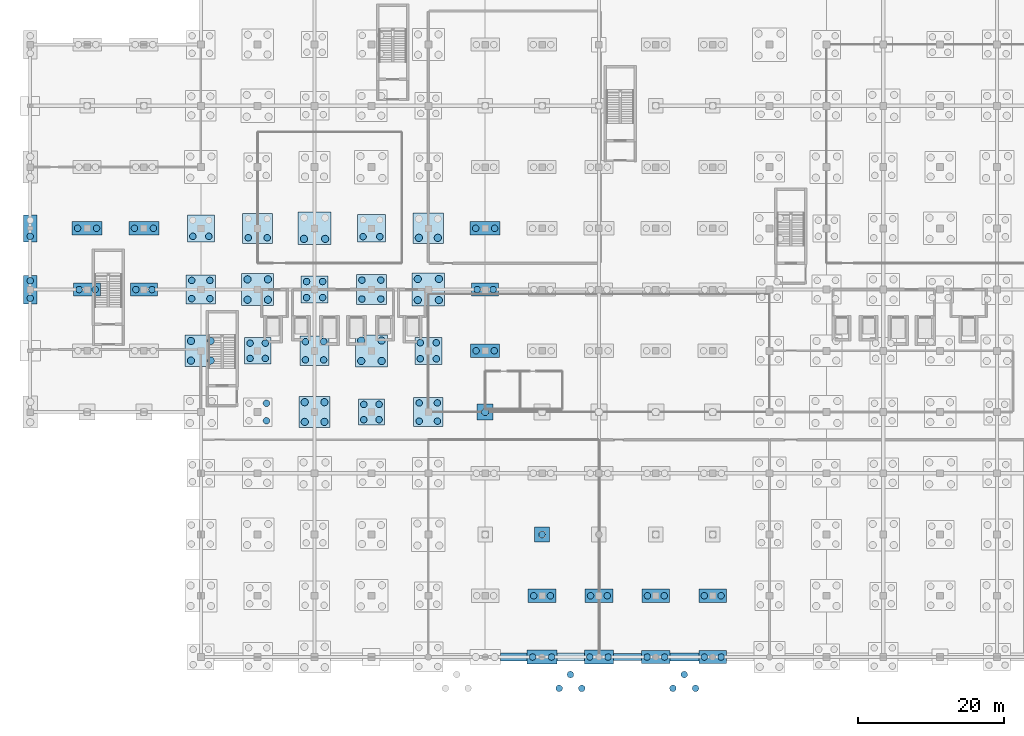
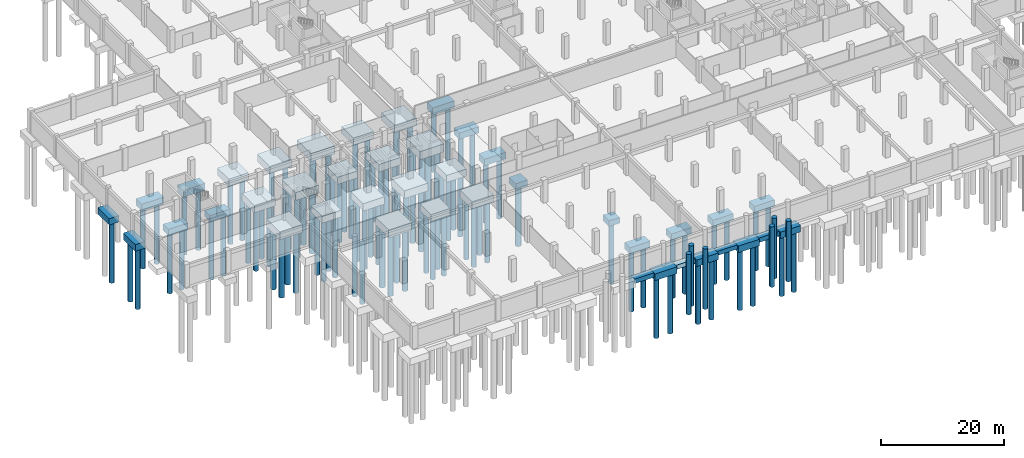
# One storey, part 2 of 30: 105 piles, 41 footings.
"""IFC4 building model written with IfcOpenShell, lengths in metres."""

from ifc_helpers import new_model, si_unit, direction, frame, origin, origin_2d, place, context, subcontext, project, spatial, rectangle, circle, extrude, material, layer, layer_set, material_profile, profile_set, type_object, element, save


model = new_model("IFC4")

# Units and contexts
model_context = context("Model", 3, precision=1e-05, world=origin(), true_north=direction((0.0, 1.0)))
body_context = subcontext(model_context, "Body", "Model", "MODEL_VIEW")
ifc_project = project(units=[si_unit("LENGTHUNIT", "METRE"), si_unit("AREAUNIT", "SQUARE_METRE"), si_unit("VOLUMEUNIT", "CUBIC_METRE"), si_unit("PLANEANGLEUNIT", "RADIAN"), si_unit("MASSUNIT", "GRAM", prefix="KILO"), si_unit("THERMODYNAMICTEMPERATUREUNIT", "KELVIN"), si_unit("POWERUNIT", "WATT")], contexts=[model_context])

# Site, building, storey
site_placement = place(None, origin())
site = spatial("IfcSite", under=ifc_project, at=site_placement, CompositionType="ELEMENT")
building_placement = place(site_placement, origin())
building = spatial("IfcBuilding", under=site, at=building_placement, Name="Srebrne Nadtorze General Hospital", CompositionType="ELEMENT")
storey_placement = place(building_placement, frame((0.0, 0.0, -4.5)))
storey = spatial("IfcBuildingStorey", under=building, at=storey_placement, Name="B1", CompositionType="ELEMENT", Elevation=-4.5)

# Piles
ifc_material_1 = material(Name="Concrete C35/45", Category="concrete")
ifc_material_profile_1 = material_profile(ifc_material_1, circle(Radius=0.5, at=origin_2d()), Name="PILE-D1000")
ifc_profile_set_1 = profile_set([ifc_material_profile_1], Name="Concrete C35/45")
pile_type_1 = type_object("IfcPileType", Name="Bored concrete pile D1000", PredefinedType="BORED", material=ifc_profile_set_1)
for number, where, z_axis, x_axis, name in (
    (1, (22.050048828125, 40.64990234375, -2.14990234375), (0.0, 0.0, -1.0), (1.0, 0.0, 0.0), "Bored pile PL-B1-0055"),
    (2, (24.75, 40.64990234375, -2.14990234375), (0.0, 0.0, -1.0), (1.0, 0.0, 0.0), "Bored pile PL-B1-0056"),
    (3, (24.75, 43.35009765625, -2.14990234375), (0.0, 0.0, -1.0), (1.0, 0.0, 0.0), "Bored pile PL-B1-0057"),
    (4, (22.050048828125, 43.35009765625, -2.14990234375), (0.0, 0.0, -1.0), (1.0, 0.0, 0.0), "Bored pile PL-B1-0058"),
    (5, (29.800048828125, 49.0, -2.14990234375), (0.0, 0.0, -1.0), (1.0, 0.0, 0.0), "Bored pile PL-B1-0111"),
    (6, (32.60009765625, 49.0, -2.14990234375), (0.0, 0.0, -1.0), (1.0, 0.0, 0.0), "Bored pile PL-B1-0112"),
    (7, (32.60009765625, 51.800048828125, -2.14990234375), (0.0, 0.0, -1.0), (1.0, 0.0, 0.0), "Bored pile PL-B1-0113"),
    (8, (29.800048828125, 51.800048828125, -2.14990234375), (0.0, 0.0, -1.0), (1.0, 0.0, 0.0), "Bored pile PL-B1-0114"),
    (9, (37.64990234375, 32.25, -2.14990234375), (0.0, 0.0, -1.0), (1.0, 0.0, 0.0), "Bored pile PL-B1-0157"),
    (10, (40.35009765625, 32.25, -2.14990234375), (0.0, 0.0, -1.0), (1.0, 0.0, 0.0), "Bored pile PL-B1-0158"),
    (11, (40.35009765625, 34.949951171875, -2.14990234375), (0.0, 0.0, -1.0), (1.0, 0.0, 0.0), "Bored pile PL-B1-0159"),
    (12, (37.64990234375, 34.949951171875, -2.14990234375), (0.0, 0.0, -1.0), (1.0, 0.0, 0.0), "Bored pile PL-B1-0160"),
    (13, (37.550048828125, 57.35009765625, -2.199951171875), (0.0, 0.0, -1.0), (1.0, 0.0, 0.0), "Bored pile PL-B1-0169"),
    (14, (40.449951171875, 57.35009765625, -2.199951171875), (0.0, 0.0, -1.0), (1.0, 0.0, 0.0), "Bored pile PL-B1-0170"),
    (15, (45.39990234375, 40.60009765625, -2.14990234375), (0.0, 0.0, -1.0), (1.0, 0.0, 0.0), "Bored pile PL-B1-0211"),
    (16, (48.199951171875, 40.60009765625, -2.14990234375), (0.0, 0.0, -1.0), (1.0, 0.0, 0.0), "Bored pile PL-B1-0212"),
    (17, (48.199951171875, 43.39990234375, -2.14990234375), (0.0, 0.0, -1.0), (1.0, 0.0, 0.0), "Bored pile PL-B1-0213"),
    (18, (45.39990234375, 43.39990234375, -2.14990234375), (0.0, 0.0, -1.0), (1.0, 0.0, 0.0), "Bored pile PL-B1-0214"),
    (19, (53.14990234375, 48.949951171875, -2.199951171875), (0.0, 0.0, -1.0), (1.0, 0.0, 0.0), "Bored pile PL-B1-0269"),
    (20, (56.050048828125, 48.949951171875, -2.199951171875), (0.0, 0.0, -1.0), (1.0, 0.0, 0.0), "Bored pile PL-B1-0270"),
    (21, (56.050048828125, 51.85009765625, -2.199951171875), (0.0, 0.0, -1.0), (1.0, 0.0, 0.0), "Bored pile PL-B1-0271"),
    (22, (53.14990234375, 51.85009765625, -2.199951171875), (0.0, 0.0, -1.0), (1.0, 0.0, 0.0), "Bored pile PL-B1-0272"),
    (23, (53.300048828125, 57.5, -2.10009765625), (0.0, 0.0, -1.0), (1.0, 0.0, 0.0), "Bored pile PL-B1-0273"),
    (24, (55.89990234375, 57.5, -2.10009765625), (0.0, 0.0, -1.0), (1.0, 0.0, 0.0), "Bored pile PL-B1-0274"),
    (25, (62.39990234375, 33.60009765625, -1.800048828125), (0.0, 0.0, -1.0), (1.0, 0.0, 0.0), "Bored pile PL-B1-0306"),
):
    element("IfcPile", number, at=place(storey_placement, frame(where, z_axis=z_axis, x_axis=x_axis)), inside=storey, type_object=pile_type_1, Name=name, PredefinedType="BORED", context=body_context, shape_type="SweptSolid", body=[
        extrude(circle(Radius=0.5, at=origin_2d()), origin(), (0.0, 0.0, 1.0), 12.0),
    ])
ifc_material_2 = material(Name="Concrete C35/45", Category="concrete")
ifc_material_profile_2 = material_profile(ifc_material_2, circle(Radius=0.449951171875, at=origin_2d()), Name="PILE-D900")
ifc_profile_set_2 = profile_set([ifc_material_profile_2], Name="Concrete C35/45")
pile_type_2 = type_object("IfcPileType", Name="Bored concrete pile D900", PredefinedType="BORED", material=ifc_profile_set_2)
for number, where, z_axis, x_axis, name in (
    (26, (0.0, 49.199951171875, -1.89990234375), (0.0, 0.0, -1.0), (1.0, 0.0, 0.0), "Bored pile PL-B1-0003"),
    (27, (0.0, 51.60009765625, -1.89990234375), (0.0, 0.0, -1.0), (1.0, 0.0, 0.0), "Bored pile PL-B1-0004"),
    (28, (0.0, 57.699951171875, -1.85009765625), (0.0, 0.0, -1.0), (1.0, 0.0, 0.0), "Bored pile PL-B1-0005"),
    (29, (6.699951171875, 50.39990234375, -1.85009765625), (0.0, 0.0, -1.0), (1.0, 0.0, 0.0), "Bored pile PL-B1-0014"),
    (30, (8.89990234375, 50.39990234375, -1.85009765625), (0.0, 0.0, -1.0), (1.0, 0.0, 0.0), "Bored pile PL-B1-0015"),
    (31, (6.5, 58.800048828125, -1.949951171875), (0.0, 0.0, -1.0), (1.0, 0.0, 0.0), "Bored pile PL-B1-0016"),
    (32, (9.10009765625, 58.800048828125, -1.949951171875), (0.0, 0.0, -1.0), (1.0, 0.0, 0.0), "Bored pile PL-B1-0017"),
    (33, (14.5, 50.39990234375, -1.85009765625), (0.0, 0.0, -1.0), (1.0, 0.0, 0.0), "Bored pile PL-B1-0026"),
    (34, (16.699951171875, 50.39990234375, -1.85009765625), (0.0, 0.0, -1.0), (1.0, 0.0, 0.0), "Bored pile PL-B1-0027"),
    (35, (14.300048828125, 58.800048828125, -1.949951171875), (0.0, 0.0, -1.0), (1.0, 0.0, 0.0), "Bored pile PL-B1-0028"),
    (36, (16.89990234375, 58.800048828125, -1.949951171875), (0.0, 0.0, -1.0), (1.0, 0.0, 0.0), "Bored pile PL-B1-0029"),
    (37, (22.14990234375, 49.14990234375, -2.050048828125), (0.0, 0.0, -1.0), (1.0, 0.0, 0.0), "Bored pile PL-B1-0059"),
    (38, (24.64990234375, 49.14990234375, -2.050048828125), (0.0, 0.0, -1.0), (1.0, 0.0, 0.0), "Bored pile PL-B1-0060"),
    (39, (24.64990234375, 51.64990234375, -2.050048828125), (0.0, 0.0, -1.0), (1.0, 0.0, 0.0), "Bored pile PL-B1-0061"),
    (40, (22.14990234375, 51.64990234375, -2.050048828125), (0.0, 0.0, -1.0), (1.0, 0.0, 0.0), "Bored pile PL-B1-0062"),
    (41, (22.300048828125, 57.699951171875, -2.0), (0.0, 0.0, -1.0), (1.0, 0.0, 0.0), "Bored pile PL-B1-0063"),
    (42, (24.5, 57.699951171875, -2.0), (0.0, 0.0, -1.0), (1.0, 0.0, 0.0), "Bored pile PL-B1-0064"),
    (43, (32.39990234375, 32.39990234375, -2.050048828125), (0.0, 0.0, -1.0), (1.0, 0.0, 0.0), "Bored pile PL-B1-0104"),
    (44, (32.39990234375, 34.800048828125, -2.050048828125), (0.0, 0.0, -1.0), (1.0, 0.0, 0.0), "Bored pile PL-B1-0105"),
    (45, (30.14990234375, 40.949951171875, -1.949951171875), (0.0, 0.0, -1.0), (1.0, 0.0, 0.0), "Bored pile PL-B1-0107"),
    (46, (32.25, 40.949951171875, -1.949951171875), (0.0, 0.0, -1.0), (1.0, 0.0, 0.0), "Bored pile PL-B1-0108"),
    (47, (32.25, 43.050048828125, -1.949951171875), (0.0, 0.0, -1.0), (1.0, 0.0, 0.0), "Bored pile PL-B1-0109"),
    (48, (30.14990234375, 43.050048828125, -1.949951171875), (0.0, 0.0, -1.0), (1.0, 0.0, 0.0), "Bored pile PL-B1-0110"),
    (49, (29.89990234375, 57.5, -2.10009765625), (0.0, 0.0, -1.0), (1.0, 0.0, 0.0), "Bored pile PL-B1-0115"),
    (50, (32.5, 57.5, -2.10009765625), (0.0, 0.0, -1.0), (1.0, 0.0, 0.0), "Bored pile PL-B1-0116"),
    (51, (37.75, 40.75, -2.050048828125), (0.0, 0.0, -1.0), (1.0, 0.0, 0.0), "Bored pile PL-B1-0161"),
    (52, (40.25, 40.75, -2.050048828125), (0.0, 0.0, -1.0), (1.0, 0.0, 0.0), "Bored pile PL-B1-0162"),
    (53, (40.25, 43.25, -2.050048828125), (0.0, 0.0, -1.0), (1.0, 0.0, 0.0), "Bored pile PL-B1-0163"),
    (54, (37.75, 43.25, -2.050048828125), (0.0, 0.0, -1.0), (1.0, 0.0, 0.0), "Bored pile PL-B1-0164"),
    (55, (37.89990234375, 49.300048828125, -2.0), (0.0, 0.0, -1.0), (1.0, 0.0, 0.0), "Bored pile PL-B1-0165"),
    (56, (40.10009765625, 49.300048828125, -2.0), (0.0, 0.0, -1.0), (1.0, 0.0, 0.0), "Bored pile PL-B1-0166"),
    (57, (40.10009765625, 51.5, -2.0), (0.0, 0.0, -1.0), (1.0, 0.0, 0.0), "Bored pile PL-B1-0167"),
    (58, (37.89990234375, 51.5, -2.0), (0.0, 0.0, -1.0), (1.0, 0.0, 0.0), "Bored pile PL-B1-0168"),
    (59, (45.75, 32.550048828125, -1.949951171875), (0.0, 0.0, -1.0), (1.0, 0.0, 0.0), "Bored pile PL-B1-0207"),
    (60, (47.85009765625, 32.550048828125, -1.949951171875), (0.0, 0.0, -1.0), (1.0, 0.0, 0.0), "Bored pile PL-B1-0208"),
    (61, (47.85009765625, 34.64990234375, -1.949951171875), (0.0, 0.0, -1.0), (1.0, 0.0, 0.0), "Bored pile PL-B1-0209"),
    (62, (45.75, 34.64990234375, -1.949951171875), (0.0, 0.0, -1.0), (1.0, 0.0, 0.0), "Bored pile PL-B1-0210"),
    (63, (45.5, 49.10009765625, -2.10009765625), (0.0, 0.0, -1.0), (1.0, 0.0, 0.0), "Bored pile PL-B1-0215"),
    (64, (48.10009765625, 49.10009765625, -2.10009765625), (0.0, 0.0, -1.0), (1.0, 0.0, 0.0), "Bored pile PL-B1-0216"),
    (65, (48.10009765625, 51.699951171875, -2.10009765625), (0.0, 0.0, -1.0), (1.0, 0.0, 0.0), "Bored pile PL-B1-0217"),
    (66, (45.5, 51.699951171875, -2.10009765625), (0.0, 0.0, -1.0), (1.0, 0.0, 0.0), "Bored pile PL-B1-0218"),
    (67, (45.64990234375, 57.64990234375, -2.0), (0.0, 0.0, -1.0), (1.0, 0.0, 0.0), "Bored pile PL-B1-0219"),
    (68, (47.949951171875, 57.64990234375, -2.0), (0.0, 0.0, -1.0), (1.0, 0.0, 0.0), "Bored pile PL-B1-0220"),
    (69, (53.35009765625, 32.35009765625, -2.050048828125), (0.0, 0.0, -1.0), (1.0, 0.0, 0.0), "Bored pile PL-B1-0261"),
    (70, (55.85009765625, 32.35009765625, -2.050048828125), (0.0, 0.0, -1.0), (1.0, 0.0, 0.0), "Bored pile PL-B1-0262"),
    (71, (55.85009765625, 34.85009765625, -2.050048828125), (0.0, 0.0, -1.0), (1.0, 0.0, 0.0), "Bored pile PL-B1-0263"),
    (72, (53.35009765625, 34.85009765625, -2.050048828125), (0.0, 0.0, -1.0), (1.0, 0.0, 0.0), "Bored pile PL-B1-0264"),
    (73, (53.5, 40.89990234375, -2.0), (0.0, 0.0, -1.0), (1.0, 0.0, 0.0), "Bored pile PL-B1-0265"),
    (74, (55.699951171875, 40.89990234375, -2.0), (0.0, 0.0, -1.0), (1.0, 0.0, 0.0), "Bored pile PL-B1-0266"),
    (75, (55.699951171875, 43.10009765625, -2.0), (0.0, 0.0, -1.0), (1.0, 0.0, 0.0), "Bored pile PL-B1-0267"),
    (76, (53.5, 43.10009765625, -2.0), (0.0, 0.0, -1.0), (1.0, 0.0, 0.0), "Bored pile PL-B1-0268"),
    (77, (61.14990234375, 42.0, -1.89990234375), (0.0, 0.0, -1.0), (1.0, 0.0, 0.0), "Bored pile PL-B1-0307"),
    (78, (63.64990234375, 42.0, -1.89990234375), (0.0, 0.0, -1.0), (1.0, 0.0, 0.0), "Bored pile PL-B1-0308"),
    (79, (61.300048828125, 50.39990234375, -1.85009765625), (0.0, 0.0, -1.0), (1.0, 0.0, 0.0), "Bored pile PL-B1-0309"),
    (80, (63.5, 50.39990234375, -1.85009765625), (0.0, 0.0, -1.0), (1.0, 0.0, 0.0), "Bored pile PL-B1-0310"),
    (81, (61.10009765625, 58.800048828125, -1.949951171875), (0.0, 0.0, -1.0), (1.0, 0.0, 0.0), "Bored pile PL-B1-0311"),
    (82, (63.699951171875, 58.800048828125, -1.949951171875), (0.0, 0.0, -1.0), (1.0, 0.0, 0.0), "Bored pile PL-B1-0312"),
    (83, (68.89990234375, 0.0, -1.949951171875), (0.0, 0.0, -1.0), (1.0, 0.0, 0.0), "Bored pile PL-B1-0324"),
    (84, (71.5, 0.0, -1.949951171875), (0.0, 0.0, -1.0), (1.0, 0.0, 0.0), "Bored pile PL-B1-0325"),
    (85, (69.050048828125, 8.39990234375, -1.85009765625), (0.0, 0.0, -1.0), (1.0, 0.0, 0.0), "Bored pile PL-B1-0326"),
    (86, (71.35009765625, 8.39990234375, -1.85009765625), (0.0, 0.0, -1.0), (1.0, 0.0, 0.0), "Bored pile PL-B1-0327"),
    (87, (70.199951171875, 16.800048828125, -1.75), (0.0, 0.0, -1.0), (1.0, 0.0, 0.0), "Bored pile PL-B1-0328"),
    (88, (76.75, 0.0, -1.89990234375), (0.0, 0.0, -1.0), (1.0, 0.0, 0.0), "Bored pile PL-B1-0351"),
    (89, (79.25, 0.0, -1.89990234375), (0.0, 0.0, -1.0), (1.0, 0.0, 0.0), "Bored pile PL-B1-0352"),
    (90, (76.85009765625, 8.39990234375, -1.85009765625), (0.0, 0.0, -1.0), (1.0, 0.0, 0.0), "Bored pile PL-B1-0353"),
    (91, (79.14990234375, 8.39990234375, -1.85009765625), (0.0, 0.0, -1.0), (1.0, 0.0, 0.0), "Bored pile PL-B1-0354"),
    (92, (84.60009765625, 0.0, -1.89990234375), (0.0, 0.0, -1.0), (1.0, 0.0, 0.0), "Bored pile PL-B1-0370"),
    (93, (87.0, 0.0, -1.89990234375), (0.0, 0.0, -1.0), (1.0, 0.0, 0.0), "Bored pile PL-B1-0371"),
    (94, (84.64990234375, 8.39990234375, -1.85009765625), (0.0, 0.0, -1.0), (1.0, 0.0, 0.0), "Bored pile PL-B1-0372"),
    (95, (86.949951171875, 8.39990234375, -1.85009765625), (0.0, 0.0, -1.0), (1.0, 0.0, 0.0), "Bored pile PL-B1-0373"),
    (96, (92.449951171875, 0.0, -1.85009765625), (0.0, 0.0, -1.0), (1.0, 0.0, 0.0), "Bored pile PL-B1-0391"),
    (97, (94.75, 0.0, -1.85009765625), (0.0, 0.0, -1.0), (1.0, 0.0, 0.0), "Bored pile PL-B1-0392"),
    (98, (92.449951171875, 8.39990234375, -1.85009765625), (0.0, 0.0, -1.0), (1.0, 0.0, 0.0), "Bored pile PL-B1-0393"),
    (99, (94.75, 8.39990234375, -1.85009765625), (0.0, 0.0, -1.0), (1.0, 0.0, 0.0), "Bored pile PL-B1-0394"),
    (100, (72.550048828125, -4.300048828125, 4.080078125), (0.0, 0.0, -1.0), (1.0, 0.0, 0.0), "Accessible ramp support pile 2 1"),
    (101, (75.64990234375, -4.300048828125, 4.080078125), (0.0, 0.0, -1.0), (1.0, 0.0, 0.0), "Accessible ramp support pile 2 2"),
    (102, (74.10009765625, -2.39990234375, 4.080078125), (0.0, 0.0, -1.0), (1.0, 0.0, 0.0), "Accessible ramp support pile 2 3"),
    (103, (88.14990234375, -4.300048828125, 4.080078125), (0.0, 0.0, -1.0), (1.0, 0.0, 0.0), "Accessible ramp support pile 3 1"),
    (104, (91.25, -4.300048828125, 4.080078125), (0.0, 0.0, -1.0), (1.0, 0.0, 0.0), "Accessible ramp support pile 3 2"),
    (105, (89.699951171875, -2.39990234375, 4.080078125), (0.0, 0.0, -1.0), (1.0, 0.0, 0.0), "Accessible ramp support pile 3 3"),
):
    element("IfcPile", number, at=place(storey_placement, frame(where, z_axis=z_axis, x_axis=x_axis)), inside=storey, type_object=pile_type_2, Name=name, PredefinedType="BORED", context=body_context, shape_type="SweptSolid", body=[
        extrude(circle(Radius=0.449951171875, at=origin_2d()), origin(), (0.0, 0.0, 1.0), 12.0),
    ])

# Footings
ifc_material_3 = material(Name="Concrete C35/45", Category="concrete")
ifc_layer_1 = layer(ifc_material_3, 1.25)
ifc_layer_set_1 = layer_set([ifc_layer_1], Name="Concrete C35/45")
footing_type_1 = type_object("IfcFootingType", Name="Bored pile cap 1800x3700x1250", PredefinedType="PILE_CAP", material=ifc_layer_set_1)
footing_1_placement = place(storey_placement, frame((0.0, 58.800048828125, -1.85009765625), z_axis=(0.0, 0.0, 1.0), x_axis=(1.0, 0.0, 0.0)))
element("IfcFooting", 106, at=footing_1_placement, inside=storey, type_object=footing_type_1, Name="Pile cap FT-B1-1-H", PredefinedType="PILE_CAP", context=body_context, shape_type="SweptSolid", body=[
    extrude(rectangle(XDim=1.800048828125, YDim=3.699951171875, at=origin_2d()), origin(), (0.0, 0.0, 1.0), 1.25),
])
ifc_material_4 = material(Name="Concrete C35/45", Category="concrete")
ifc_layer_2 = layer(ifc_material_4, 1.300048828125)
ifc_layer_set_2 = layer_set([ifc_layer_2], Name="Concrete C35/45")
footing_type_2 = type_object("IfcFootingType", Name="Bored pile cap 1800x3900x1300", PredefinedType="PILE_CAP", material=ifc_layer_set_2)
footing_2_placement = place(storey_placement, frame((0.0, 50.39990234375, -1.89990234375), z_axis=(0.0, 0.0, 1.0), x_axis=(1.0, 0.0, 0.0)))
element("IfcFooting", 107, at=footing_2_placement, inside=storey, type_object=footing_type_2, Name="Pile cap FT-B1-1-G", PredefinedType="PILE_CAP", context=body_context, shape_type="SweptSolid", body=[
    extrude(rectangle(XDim=1.800048828125, YDim=3.89990234375, at=origin_2d()), origin(), (0.0, 0.0, 1.0), 1.300048828125),
])
ifc_material_5 = material(Name="Concrete C35/45", Category="concrete")
ifc_layer_3 = layer(ifc_material_5, 1.14990234375)
ifc_layer_set_3 = layer_set([ifc_layer_3], Name="Concrete C35/45")
footing_type_3 = type_object("IfcFootingType", Name="Bored pile cap 2000x2000x1150", PredefinedType="PILE_CAP", material=ifc_layer_set_3)
footing_3_placement = place(storey_placement, frame((70.199951171875, 16.800048828125, -1.75), z_axis=(0.0, 0.0, 1.0), x_axis=(1.0, 0.0, 0.0)))
element("IfcFooting", 108, at=footing_3_placement, inside=storey, type_object=footing_type_3, Name="Pile cap FT-B1-10-C", PredefinedType="PILE_CAP", context=body_context, shape_type="SweptSolid", body=[
    extrude(rectangle(XDim=2.0, YDim=2.0, at=origin_2d()), origin(), (0.0, 0.0, 1.0), 1.14990234375),
])
ifc_material_6 = material(Name="Concrete C35/45", Category="concrete")
ifc_layer_4 = layer(ifc_material_6, 1.199951171875)
ifc_layer_set_4 = layer_set([ifc_layer_4], Name="Concrete C35/45")
footing_type_4 = type_object("IfcFootingType", Name="Bored pile cap 2200x2200x1200", PredefinedType="PILE_CAP", material=ifc_layer_set_4)
footing_4_placement = place(storey_placement, frame((62.39990234375, 33.60009765625, -1.7998046875), z_axis=(0.0, 0.0, 1.0), x_axis=(1.0, 0.0, 0.0)))
element("IfcFooting", 109, at=footing_4_placement, inside=storey, type_object=footing_type_4, Name="Pile cap FT-B1-9-E", PredefinedType="PILE_CAP", context=body_context, shape_type="SweptSolid", body=[
    extrude(rectangle(XDim=2.199951171875, YDim=2.199951171875, at=origin_2d()), origin(), (0.0, 0.0, 1.0), 1.199951171875),
])
ifc_material_7 = material(Name="Concrete C35/45", Category="concrete")
ifc_layer_5 = layer(ifc_material_7, 1.35009765625)
ifc_layer_set_5 = layer_set([ifc_layer_5], Name="Concrete C35/45")
footing_type_5 = type_object("IfcFootingType", Name="Bored pile cap 3600x3600x1350", PredefinedType="PILE_CAP", material=ifc_layer_set_5)
for number, where, z_axis, x_axis, name in (
    (110, (31.199951171875, 42.0, -1.949951171875), (0.0, 0.0, 1.0), (1.0, 0.0, 0.0), "Pile cap FT-B1-5-F"),
    (111, (46.800048828125, 33.60009765625, -1.949951171875), (0.0, 0.0, 1.0), (1.0, 0.0, 0.0), "Pile cap FT-B1-7-E"),
):
    element("IfcFooting", number, at=place(storey_placement, frame(where, z_axis=z_axis, x_axis=x_axis)), inside=storey, type_object=footing_type_5, Name=name, PredefinedType="PILE_CAP", context=body_context, shape_type="SweptSolid", body=[
        extrude(rectangle(XDim=3.60009765625, YDim=3.60009765625, at=origin_2d()), origin(), (0.0, 0.0, 1.0), 1.35009765625),
    ])
ifc_material_8 = material(Name="Concrete C35/45", Category="concrete")
ifc_layer_6 = layer(ifc_material_8, 1.25)
ifc_layer_set_6 = layer_set([ifc_layer_6], Name="Concrete C35/45")
footing_type_6 = type_object("IfcFootingType", Name="Bored pile cap 3700x1750x1250", PredefinedType="PILE_CAP", material=ifc_layer_set_6)
for number, where, z_axis, x_axis, name in (
    (112, (7.800048828125, 50.39990234375, -1.85009765625), (0.0, 0.0, 1.0), (1.0, 0.0, 0.0), "Pile cap FT-B1-2-G"),
    (113, (15.60009765625, 50.39990234375, -1.85009765625), (0.0, 0.0, 1.0), (1.0, 0.0, 0.0), "Pile cap FT-B1-3-G"),
    (114, (62.39990234375, 50.39990234375, -1.85009765625), (0.0, 0.0, 1.0), (1.0, 0.0, 0.0), "Pile cap FT-B1-9-G"),
):
    element("IfcFooting", number, at=place(storey_placement, frame(where, z_axis=z_axis, x_axis=x_axis)), inside=storey, type_object=footing_type_6, Name=name, PredefinedType="PILE_CAP", context=body_context, shape_type="SweptSolid", body=[
        extrude(rectangle(XDim=3.699951171875, YDim=1.75, at=origin_2d()), origin(), (0.0, 0.0, 1.0), 1.25),
    ])
ifc_material_9 = material(Name="Concrete C35/45", Category="concrete")
ifc_layer_7 = layer(ifc_material_9, 1.39990234375)
ifc_layer_set_7 = layer_set([ifc_layer_7], Name="Concrete C35/45")
footing_type_7 = type_object("IfcFootingType", Name="Bored pile cap 3700x3700x1400", PredefinedType="PILE_CAP", material=ifc_layer_set_7)
for number, where, z_axis, x_axis, name in (
    (115, (23.39990234375, 58.800048828125, -2.0), (0.0, 0.0, 1.0), (1.0, 0.0, 0.0), "Pile cap FT-B1-4-H"),
    (116, (39.0, 50.39990234375, -2.0), (0.0, 0.0, 1.0), (1.0, 0.0, 0.0), "Pile cap FT-B1-6-G"),
    (117, (54.60009765625, 42.0, -2.0), (0.0, 0.0, 1.0), (1.0, 0.0, 0.0), "Pile cap FT-B1-8-F"),
):
    element("IfcFooting", number, at=place(storey_placement, frame(where, z_axis=z_axis, x_axis=x_axis)), inside=storey, type_object=footing_type_7, Name=name, PredefinedType="PILE_CAP", context=body_context, shape_type="SweptSolid", body=[
        extrude(rectangle(XDim=3.699951171875, YDim=3.699951171875, at=origin_2d()), origin(), (0.0, 0.0, 1.0), 1.39990234375),
    ])
ifc_material_10 = material(Name="Concrete C35/45", Category="concrete")
ifc_layer_8 = layer(ifc_material_10, 1.25)
ifc_layer_set_8 = layer_set([ifc_layer_8], Name="Concrete C35/45")
footing_type_8 = type_object("IfcFootingType", Name="Bored pile cap 3800x1800x1250", PredefinedType="PILE_CAP", material=ifc_layer_set_8)
for number, where, z_axis, x_axis, name in (
    (118, (70.199951171875, 8.39990234375, -1.85009765625), (0.0, 0.0, 1.0), (1.0, 0.0, 0.0), "Pile cap FT-B1-10-B"),
    (119, (78.0, 8.39990234375, -1.85009765625), (0.0, 0.0, 1.0), (1.0, 0.0, 0.0), "Pile cap FT-B1-11-B"),
    (120, (85.800048828125, 8.39990234375, -1.85009765625), (0.0, 0.0, 1.0), (1.0, 0.0, 0.0), "Pile cap FT-B1-12-B"),
    (121, (93.60009765625, 0.0, -1.85009765625), (0.0, 0.0, 1.0), (1.0, 0.0, 0.0), "Pile cap FT-B1-13-A"),
    (122, (93.60009765625, 8.39990234375, -1.85009765625), (0.0, 0.0, 1.0), (1.0, 0.0, 0.0), "Pile cap FT-B1-13-B"),
):
    element("IfcFooting", number, at=place(storey_placement, frame(where, z_axis=z_axis, x_axis=x_axis)), inside=storey, type_object=footing_type_8, Name=name, PredefinedType="PILE_CAP", context=body_context, shape_type="SweptSolid", body=[
        extrude(rectangle(XDim=3.800048828125, YDim=1.800048828125, at=origin_2d()), origin(), (0.0, 0.0, 1.0), 1.25),
    ])
ifc_material_11 = material(Name="Concrete C35/45", Category="concrete")
ifc_layer_9 = layer(ifc_material_11, 1.39990234375)
ifc_layer_set_9 = layer_set([ifc_layer_9], Name="Concrete C35/45")
footing_type_9 = type_object("IfcFootingType", Name="Bored pile cap 3800x3800x1400", PredefinedType="PILE_CAP", material=ifc_layer_set_9)
footing_5_placement = place(storey_placement, frame((46.800048828125, 58.800048828125, -2.0), z_axis=(0.0, 0.0, 1.0), x_axis=(1.0, 0.0, 0.0)))
element("IfcFooting", 123, at=footing_5_placement, inside=storey, type_object=footing_type_9, Name="Pile cap FT-B1-7-H", PredefinedType="PILE_CAP", context=body_context, shape_type="SweptSolid", body=[
    extrude(rectangle(XDim=3.800048828125, YDim=3.800048828125, at=origin_2d()), origin(), (0.0, 0.0, 1.0), 1.39990234375),
])
ifc_material_12 = material(Name="Concrete C35/45", Category="concrete")
ifc_layer_10 = layer(ifc_material_12, 1.300048828125)
ifc_layer_set_10 = layer_set([ifc_layer_10], Name="Concrete C35/45")
footing_type_10 = type_object("IfcFootingType", Name="Bored pile cap 3900x1800x1300", PredefinedType="PILE_CAP", material=ifc_layer_set_10)
footing_6_placement = place(storey_placement, frame((85.800048828125, 0.0, -1.89990234375), z_axis=(0.0, 0.0, 1.0), x_axis=(1.0, 0.0, 0.0)))
element("IfcFooting", 124, at=footing_6_placement, inside=storey, type_object=footing_type_10, Name="Pile cap FT-B1-12-A", PredefinedType="PILE_CAP", context=body_context, shape_type="SweptSolid", body=[
    extrude(rectangle(XDim=3.89990234375, YDim=1.800048828125, at=origin_2d()), origin(), (0.0, 0.0, 1.0), 1.300048828125),
])
ifc_material_13 = material(Name="Concrete C35/45", Category="concrete")
ifc_layer_11 = layer(ifc_material_13, 1.300048828125)
ifc_layer_set_11 = layer_set([ifc_layer_11], Name="Concrete C35/45")
footing_type_11 = type_object("IfcFootingType", Name="Bored pile cap 4000x1900x1300", PredefinedType="PILE_CAP", material=ifc_layer_set_11)
for number, where, z_axis, x_axis, name in (
    (125, (62.39990234375, 42.0, -1.89990234375), (0.0, 0.0, 1.0), (1.0, 0.0, 0.0), "Pile cap FT-B1-9-F"),
    (126, (78.0, 0.0, -1.89990234375), (0.0, 0.0, 1.0), (1.0, 0.0, 0.0), "Pile cap FT-B1-11-A"),
):
    element("IfcFooting", number, at=place(storey_placement, frame(where, z_axis=z_axis, x_axis=x_axis)), inside=storey, type_object=footing_type_11, Name=name, PredefinedType="PILE_CAP", context=body_context, shape_type="SweptSolid", body=[
        extrude(rectangle(XDim=4.0, YDim=1.89990234375, at=origin_2d()), origin(), (0.0, 0.0, 1.0), 1.300048828125),
    ])
ifc_material_14 = material(Name="Concrete C35/45", Category="concrete")
ifc_layer_12 = layer(ifc_material_14, 1.449951171875)
ifc_layer_set_12 = layer_set([ifc_layer_12], Name="Concrete C35/45")
footing_type_12 = type_object("IfcFootingType", Name="Bored pile cap 4000x4000x1450", PredefinedType="PILE_CAP", material=ifc_layer_set_12)
for number, where, z_axis, x_axis, name in (
    (127, (23.39990234375, 50.39990234375, -2.0498046875), (0.0, 0.0, 1.0), (1.0, 0.0, 0.0), "Pile cap FT-B1-4-G"),
    (128, (39.0, 42.0, -2.0498046875), (0.0, 0.0, 1.0), (1.0, 0.0, 0.0), "Pile cap FT-B1-6-F"),
    (129, (54.60009765625, 33.60009765625, -2.0498046875), (0.0, 0.0, 1.0), (1.0, 0.0, 0.0), "Pile cap FT-B1-8-E"),
):
    element("IfcFooting", number, at=place(storey_placement, frame(where, z_axis=z_axis, x_axis=x_axis)), inside=storey, type_object=footing_type_12, Name=name, PredefinedType="PILE_CAP", context=body_context, shape_type="SweptSolid", body=[
        extrude(rectangle(XDim=4.0, YDim=4.0, at=origin_2d()), origin(), (0.0, 0.0, 1.0), 1.449951171875),
    ])
ifc_material_15 = material(Name="Concrete C35/45", Category="concrete")
ifc_layer_13 = layer(ifc_material_15, 1.35009765625)
ifc_layer_set_13 = layer_set([ifc_layer_13], Name="Concrete C35/45")
footing_type_13 = type_object("IfcFootingType", Name="Bored pile cap 4100x1900x1350", PredefinedType="PILE_CAP", material=ifc_layer_set_13)
for number, where, z_axis, x_axis, name in (
    (130, (7.800048828125, 58.800048828125, -1.949951171875), (0.0, 0.0, 1.0), (1.0, 0.0, 0.0), "Pile cap FT-B1-2-H"),
    (131, (15.60009765625, 58.800048828125, -1.949951171875), (0.0, 0.0, 1.0), (1.0, 0.0, 0.0), "Pile cap FT-B1-3-H"),
    (132, (62.39990234375, 58.800048828125, -1.949951171875), (0.0, 0.0, 1.0), (1.0, 0.0, 0.0), "Pile cap FT-B1-9-H"),
    (133, (70.199951171875, 0.0, -1.949951171875), (0.0, 0.0, 1.0), (1.0, 0.0, 0.0), "Pile cap FT-B1-10-A"),
):
    element("IfcFooting", number, at=place(storey_placement, frame(where, z_axis=z_axis, x_axis=x_axis)), inside=storey, type_object=footing_type_13, Name=name, PredefinedType="PILE_CAP", context=body_context, shape_type="SweptSolid", body=[
        extrude(rectangle(XDim=4.10009765625, YDim=1.89990234375, at=origin_2d()), origin(), (0.0, 0.0, 1.0), 1.35009765625),
    ])
ifc_material_16 = material(Name="Concrete C35/45", Category="concrete")
ifc_layer_14 = layer(ifc_material_16, 1.5)
ifc_layer_set_14 = layer_set([ifc_layer_14], Name="Concrete C35/45")
footing_type_14 = type_object("IfcFootingType", Name="Bored pile cap 4100x4100x1500", PredefinedType="PILE_CAP", material=ifc_layer_set_14)
for number, where, z_axis, x_axis, name in (
    (134, (31.199951171875, 58.800048828125, -2.10009765625), (0.0, 0.0, 1.0), (1.0, 0.0, 0.0), "Pile cap FT-B1-5-H"),
    (135, (46.800048828125, 50.39990234375, -2.10009765625), (0.0, 0.0, 1.0), (1.0, 0.0, 0.0), "Pile cap FT-B1-7-G"),
):
    element("IfcFooting", number, at=place(storey_placement, frame(where, z_axis=z_axis, x_axis=x_axis)), inside=storey, type_object=footing_type_14, Name=name, PredefinedType="PILE_CAP", context=body_context, shape_type="SweptSolid", body=[
        extrude(rectangle(XDim=4.10009765625, YDim=4.10009765625, at=origin_2d()), origin(), (0.0, 0.0, 1.0), 1.5),
    ])
ifc_material_17 = material(Name="Concrete C35/45", Category="concrete")
ifc_layer_15 = layer(ifc_material_17, 1.5)
ifc_layer_set_15 = layer_set([ifc_layer_15], Name="Concrete C35/45")
footing_type_15 = type_object("IfcFootingType", Name="Bored pile cap 4200x4200x1500", PredefinedType="PILE_CAP", material=ifc_layer_set_15)
footing_7_placement = place(storey_placement, frame((54.60009765625, 58.800048828125, -2.10009765625), z_axis=(0.0, 0.0, 1.0), x_axis=(1.0, 0.0, 0.0)))
element("IfcFooting", 136, at=footing_7_placement, inside=storey, type_object=footing_type_15, Name="Pile cap FT-B1-8-H", PredefinedType="PILE_CAP", context=body_context, shape_type="SweptSolid", body=[
    extrude(rectangle(XDim=4.199951171875, YDim=4.199951171875, at=origin_2d()), origin(), (0.0, 0.0, 1.0), 1.5),
])
ifc_material_18 = material(Name="Concrete C35/45", Category="concrete")
ifc_layer_16 = layer(ifc_material_18, 1.550048828125)
ifc_layer_set_16 = layer_set([ifc_layer_16], Name="Concrete C35/45")
footing_type_16 = type_object("IfcFootingType", Name="Bored pile cap 4300x4300x1550", PredefinedType="PILE_CAP", material=ifc_layer_set_16)
for number, where, z_axis, x_axis, name in (
    (137, (23.39990234375, 42.0, -2.14990234375), (0.0, 0.0, 1.0), (1.0, 0.0, 0.0), "Pile cap FT-B1-4-F"),
    (138, (39.0, 33.60009765625, -2.14990234375), (0.0, 0.0, 1.0), (1.0, 0.0, 0.0), "Pile cap FT-B1-6-E"),
):
    element("IfcFooting", number, at=place(storey_placement, frame(where, z_axis=z_axis, x_axis=x_axis)), inside=storey, type_object=footing_type_16, Name=name, PredefinedType="PILE_CAP", context=body_context, shape_type="SweptSolid", body=[
        extrude(rectangle(XDim=4.300048828125, YDim=4.300048828125, at=origin_2d()), origin(), (0.0, 0.0, 1.0), 1.550048828125),
    ])
ifc_material_19 = material(Name="Concrete C35/45", Category="concrete")
ifc_layer_17 = layer(ifc_material_19, 1.550048828125)
ifc_layer_set_17 = layer_set([ifc_layer_17], Name="Concrete C35/45")
footing_type_17 = type_object("IfcFootingType", Name="Bored pile cap 4400x4400x1550", PredefinedType="PILE_CAP", material=ifc_layer_set_17)
for number, where, z_axis, x_axis, name in (
    (139, (31.199951171875, 50.39990234375, -2.14990234375), (0.0, 0.0, 1.0), (1.0, 0.0, 0.0), "Pile cap FT-B1-5-G"),
    (140, (46.800048828125, 42.0, -2.14990234375), (0.0, 0.0, 1.0), (1.0, 0.0, 0.0), "Pile cap FT-B1-7-F"),
):
    element("IfcFooting", number, at=place(storey_placement, frame(where, z_axis=z_axis, x_axis=x_axis)), inside=storey, type_object=footing_type_17, Name=name, PredefinedType="PILE_CAP", context=body_context, shape_type="SweptSolid", body=[
        extrude(rectangle(XDim=4.39990234375, YDim=4.39990234375, at=origin_2d()), origin(), (0.0, 0.0, 1.0), 1.550048828125),
    ])
ifc_material_20 = material(Name="Concrete C35/45", Category="concrete")
ifc_layer_18 = layer(ifc_material_20, 1.60009765625)
ifc_layer_set_18 = layer_set([ifc_layer_18], Name="Concrete C35/45")
footing_type_18 = type_object("IfcFootingType", Name="Bored pile cap 4500x4500x1600", PredefinedType="PILE_CAP", material=ifc_layer_set_18)
for number, where, z_axis, x_axis, name in (
    (141, (39.0, 58.800048828125, -2.199951171875), (0.0, 0.0, 1.0), (1.0, 0.0, 0.0), "Pile cap FT-B1-6-H"),
    (142, (54.60009765625, 50.39990234375, -2.199951171875), (0.0, 0.0, 1.0), (1.0, 0.0, 0.0), "Pile cap FT-B1-8-G"),
):
    element("IfcFooting", number, at=place(storey_placement, frame(where, z_axis=z_axis, x_axis=x_axis)), inside=storey, type_object=footing_type_18, Name=name, PredefinedType="PILE_CAP", context=body_context, shape_type="SweptSolid", body=[
        extrude(rectangle(XDim=4.5, YDim=4.5, at=origin_2d()), origin(), (0.0, 0.0, 1.0), 1.60009765625),
    ])
ifc_material_21 = material(Name="Concrete C35/45", Category="concrete")
ifc_layer_19 = layer(ifc_material_21, 0.800048828125)
ifc_layer_set_19 = layer_set([ifc_layer_19], Name="Concrete C35/45")
footing_type_19 = type_object("IfcFootingType", Name="Wall strip footing 1000x800", PredefinedType="STRIP_FOOTING", material=ifc_layer_set_19)
footing_8_placement = place(storey_placement, frame((81.925048828125, 0.0, -1.39990234375), z_axis=(0.0, 0.0, 1.0), x_axis=(1.0, 0.0, 0.0)))
element("IfcFooting", 143, at=footing_8_placement, inside=storey, type_object=footing_type_19, Name="Wall strip footing SF-B1-15", PredefinedType="STRIP_FOOTING", context=body_context, shape_type="SweptSolid", body=[
    extrude(rectangle(XDim=3.85009765625, YDim=1.0, at=origin_2d()), origin(), (0.0, 0.0, 1.0), 0.800048828125),
])
ifc_material_22 = material(Name="Concrete C35/45", Category="concrete")
ifc_layer_20 = layer(ifc_material_22, 0.85009765625)
ifc_layer_set_20 = layer_set([ifc_layer_20], Name="Concrete C35/45")
footing_type_20 = type_object("IfcFootingType", Name="Wall strip footing 1100x850", PredefinedType="STRIP_FOOTING", material=ifc_layer_set_20)
footing_9_placement = place(storey_placement, frame((74.125, 0.0, -1.449951171875), z_axis=(0.0, 0.0, 1.0), x_axis=(1.0, 0.0, 0.0)))
element("IfcFooting", 144, at=footing_9_placement, inside=storey, type_object=footing_type_20, Name="Wall strip footing SF-B1-13", PredefinedType="STRIP_FOOTING", context=body_context, shape_type="SweptSolid", body=[
    extrude(rectangle(XDim=3.75, YDim=1.10009765625, at=origin_2d()), origin(), (0.0, 0.0, 1.0), 0.85009765625),
])
ifc_material_23 = material(Name="Concrete C35/45", Category="concrete")
ifc_layer_21 = layer(ifc_material_23, 0.89990234375)
ifc_layer_set_21 = layer_set([ifc_layer_21], Name="Concrete C35/45")
footing_type_21 = type_object("IfcFootingType", Name="Wall strip footing 1150x900", PredefinedType="STRIP_FOOTING", material=ifc_layer_set_21)
footing_10_placement = place(storey_placement, frame((66.324951171875, 0.0, -1.5), z_axis=(0.0, 0.0, 1.0), x_axis=(1.0, 0.0, 0.0)))
element("IfcFooting", 145, at=footing_10_placement, inside=storey, type_object=footing_type_21, Name="Wall strip footing SF-B1-11", PredefinedType="STRIP_FOOTING", context=body_context, shape_type="SweptSolid", body=[
    extrude(rectangle(XDim=3.64990234375, YDim=1.14990234375, at=origin_2d()), origin(), (0.0, 0.0, 1.0), 0.89990234375),
])
footing_11_placement = place(storey_placement, frame((89.72509765625, 0.0, -1.5), z_axis=(0.0, 0.0, 1.0), x_axis=(1.0, 0.0, 0.0)))
element("IfcFooting", 146, at=footing_11_placement, inside=storey, type_object=footing_type_21, Name="Wall strip footing SF-B1-17", PredefinedType="STRIP_FOOTING", context=body_context, shape_type="SweptSolid", body=[
    extrude(rectangle(XDim=3.949951171875, YDim=1.14990234375, at=origin_2d()), origin(), (0.0, 0.0, 1.0), 0.89990234375),
])

save(model, "model.ifc")
